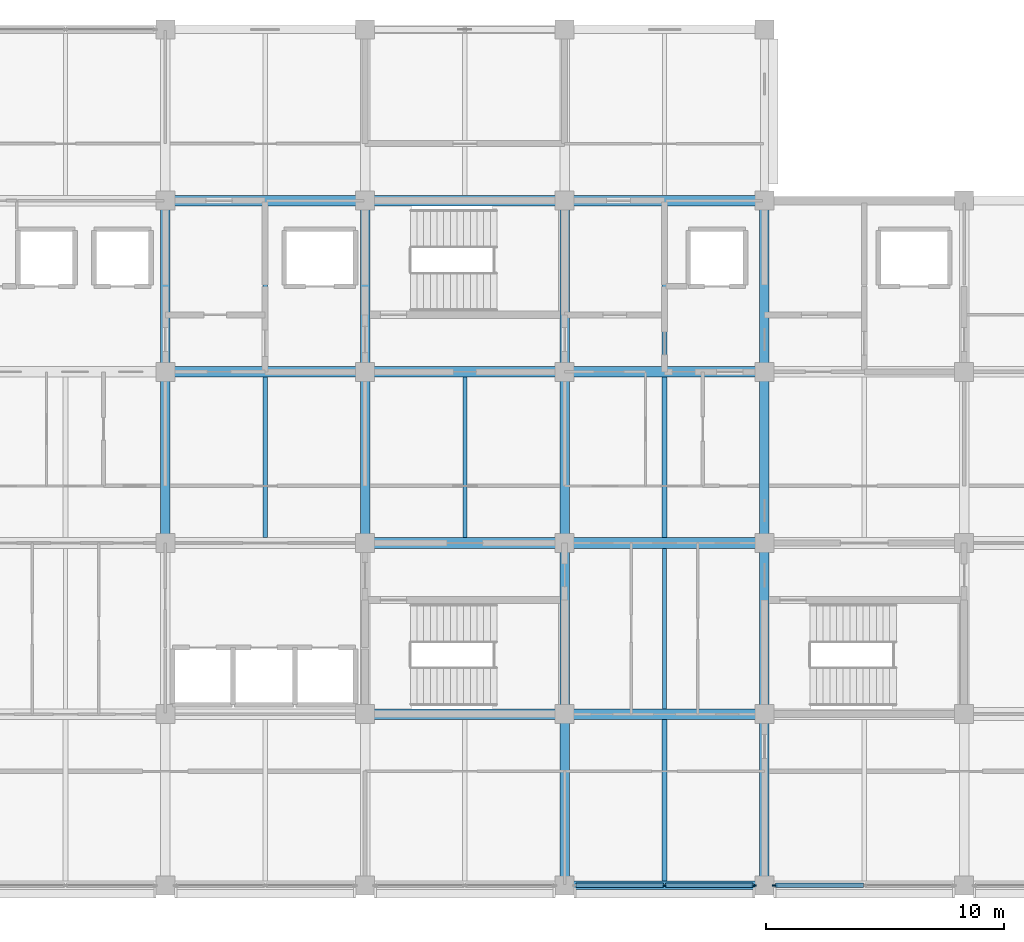
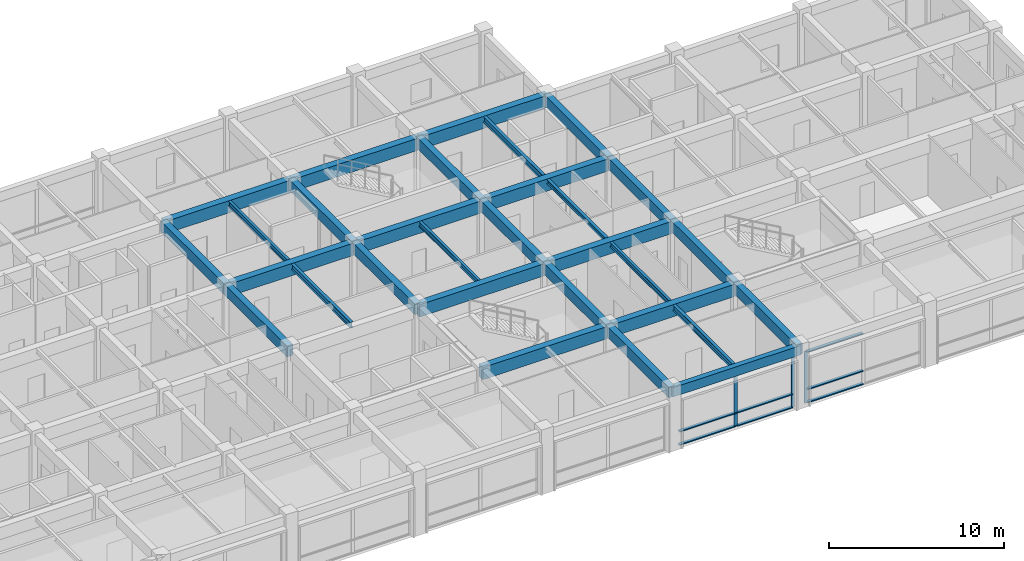
# One storey, part 9 of 30: 30 beams, 12 members, 2 elements without a shape of their own.
"""IFC4 building model written with IfcOpenShell, lengths in metres."""

from ifc_helpers import new_model, si_unit, direction, frame, origin, origin_2d, place, context, subcontext, project, spatial, rectangle, i_section, extrude, material, layer, layer_set, material_profile, profile_set, type_object, element, aggregate, save


model = new_model("IFC4")

# Units and contexts
model_context = context("Model", 3, precision=1e-05, world=origin(), true_north=direction((0.0, 1.0)))
body_context = subcontext(model_context, "Body", "Model", "MODEL_VIEW")
ifc_project = project(units=[si_unit("LENGTHUNIT", "METRE"), si_unit("AREAUNIT", "SQUARE_METRE"), si_unit("VOLUMEUNIT", "CUBIC_METRE"), si_unit("PLANEANGLEUNIT", "RADIAN"), si_unit("MASSUNIT", "GRAM", prefix="KILO")], contexts=[model_context])

# Site, building, storey
site_placement = place(None, origin())
site = spatial("IfcSite", under=ifc_project, at=site_placement, CompositionType="ELEMENT")
building_placement = place(site_placement, origin())
building = spatial("IfcBuilding", under=site, at=building_placement, Name="Chengyuan Square Courthouse", CompositionType="ELEMENT")
storey_placement = place(building_placement, frame((0.0, 0.0, 30.60009765625)))
storey = spatial("IfcBuildingStorey", under=building, at=storey_placement, Name="L07", CompositionType="ELEMENT", Elevation=30.60009765625)

# Beams
ifc_material_1 = material(Name="Concrete C40", Category="concrete")
ifc_material_profile_1 = material_profile(ifc_material_1, rectangle(XDim=0.449951171875, YDim=0.85009765625, at=origin_2d()), Name="RC-BM-450x850")
ifc_profile_set_1 = profile_set([ifc_material_profile_1], Name="Concrete C40")
beam_type_1 = type_object("IfcBeamType", Name="BM-01", PredefinedType="USERDEFINED", material=ifc_profile_set_1)
beam_1_placement = place(storey_placement, frame((100.800048828125, 86.39990234375, 3.81494140625), z_axis=(1.0, 0.0, 0.0), x_axis=(0.0, 1.0, 0.0)))
element("IfcBeam", 1, at=beam_1_placement, inside=storey, type_object=beam_type_1, Name="Girder BM-L07-3599", ObjectType="GIRDER", PredefinedType="USERDEFINED", context=body_context, shape_type="SweptSolid", body=[
    extrude(rectangle(XDim=0.449951171875, YDim=0.85009765625, at=origin_2d()), origin(), (0.0, 0.0, 1.0), 8.39990234375),
])
beam_2_placement = place(storey_placement, frame((109.199951171875, 86.39990234375, 3.81494140625), z_axis=(1.0, 0.0, 0.0), x_axis=(0.0, 1.0, 0.0)))
element("IfcBeam", 2, at=beam_2_placement, inside=storey, type_object=beam_type_1, Name="Girder BM-L07-3600", ObjectType="GIRDER", PredefinedType="USERDEFINED", context=body_context, shape_type="SweptSolid", body=[
    extrude(rectangle(XDim=0.449951171875, YDim=0.85009765625, at=origin_2d()), origin(), (0.0, 0.0, 1.0), 8.400146484375),
])
beam_3_placement = place(storey_placement, frame((100.800048828125, 93.60009765625, 3.81494140625), z_axis=(1.0, 0.0, 0.0), x_axis=(0.0, 1.0, 0.0)))
element("IfcBeam", 3, at=beam_3_placement, inside=storey, type_object=beam_type_1, Name="Girder BM-L07-3611", ObjectType="GIRDER", PredefinedType="USERDEFINED", context=body_context, shape_type="SweptSolid", body=[
    extrude(rectangle(XDim=0.449951171875, YDim=0.85009765625, at=origin_2d()), origin(), (0.0, 0.0, 1.0), 8.39990234375),
])
for number, where, z_axis, x_axis, name in (
    (4, (109.199951171875, 93.60009765625, 3.81494140625), (1.0, 0.0, 0.0), (0.0, 1.0, 0.0), "Girder BM-L07-3612"),
    (5, (92.39990234375, 100.800048828125, 3.81494140625), (1.0, 0.0, 0.0), (0.0, 1.0, 0.0), "Girder BM-L07-3623"),
):
    element("IfcBeam", number, at=place(storey_placement, frame(where, z_axis=z_axis, x_axis=x_axis)), inside=storey, type_object=beam_type_1, Name=name, ObjectType="GIRDER", PredefinedType="USERDEFINED", context=body_context, shape_type="SweptSolid", body=[
        extrude(rectangle(XDim=0.449951171875, YDim=0.85009765625, at=origin_2d()), origin(), (0.0, 0.0, 1.0), 8.400146484375),
    ])
beam_4_placement = place(storey_placement, frame((100.800048828125, 100.800048828125, 3.81494140625), z_axis=(1.0, 0.0, 0.0), x_axis=(0.0, 1.0, 0.0)))
element("IfcBeam", 6, at=beam_4_placement, inside=storey, type_object=beam_type_1, Name="Girder BM-L07-3624", ObjectType="GIRDER", PredefinedType="USERDEFINED", context=body_context, shape_type="SweptSolid", body=[
    extrude(rectangle(XDim=0.449951171875, YDim=0.85009765625, at=origin_2d()), origin(), (0.0, 0.0, 1.0), 8.39990234375),
])
for number, where, z_axis, x_axis, name in (
    (7, (109.199951171875, 100.800048828125, 3.81494140625), (1.0, 0.0, 0.0), (0.0, 1.0, 0.0), "Girder BM-L07-3625"),
    (8, (92.39990234375, 108.0, 3.81494140625), (1.0, 0.0, 0.0), (0.0, 1.0, 0.0), "Girder BM-L07-3637"),
):
    element("IfcBeam", number, at=place(storey_placement, frame(where, z_axis=z_axis, x_axis=x_axis)), inside=storey, type_object=beam_type_1, Name=name, ObjectType="GIRDER", PredefinedType="USERDEFINED", context=body_context, shape_type="SweptSolid", body=[
        extrude(rectangle(XDim=0.449951171875, YDim=0.85009765625, at=origin_2d()), origin(), (0.0, 0.0, 1.0), 8.400146484375),
    ])
beam_5_placement = place(storey_placement, frame((100.800048828125, 108.0, 3.81494140625), z_axis=(1.0, 0.0, 0.0), x_axis=(0.0, 1.0, 0.0)))
element("IfcBeam", 9, at=beam_5_placement, inside=storey, type_object=beam_type_1, Name="Girder BM-L07-3638", ObjectType="GIRDER", PredefinedType="USERDEFINED", context=body_context, shape_type="SweptSolid", body=[
    extrude(rectangle(XDim=0.449951171875, YDim=0.85009765625, at=origin_2d()), origin(), (0.0, 0.0, 1.0), 8.39990234375),
])
beam_6_placement = place(storey_placement, frame((109.199951171875, 108.0, 3.81494140625), z_axis=(1.0, 0.0, 0.0), x_axis=(0.0, 1.0, 0.0)))
element("IfcBeam", 10, at=beam_6_placement, inside=storey, type_object=beam_type_1, Name="Girder BM-L07-3639", ObjectType="GIRDER", PredefinedType="USERDEFINED", context=body_context, shape_type="SweptSolid", body=[
    extrude(rectangle(XDim=0.449951171875, YDim=0.85009765625, at=origin_2d()), origin(), (0.0, 0.0, 1.0), 8.400146484375),
])
ifc_material_profile_2 = material_profile(ifc_material_1, rectangle(XDim=0.39990234375, YDim=0.75, at=origin_2d()), Name="RC-BM-400x750")
ifc_profile_set_2 = profile_set([ifc_material_profile_2], Name="Concrete C40")
beam_type_2 = type_object("IfcBeamType", Name="BM-02", PredefinedType="USERDEFINED", material=ifc_profile_set_2)
for number, where, z_axis, x_axis, name in (
    (11, (92.39990234375, 93.60009765625, 3.864990234375), (0.0, 1.0, 0.0), (-1.0, 0.0, 0.0), "Girder BM-L07-3687"),
    (12, (92.39990234375, 100.800048828125, 3.864990234375), (0.0, 1.0, 0.0), (-1.0, 0.0, 0.0), "Girder BM-L07-3688"),
    (13, (100.800048828125, 93.60009765625, 3.864990234375), (0.0, 1.0, 0.0), (-1.0, 0.0, 0.0), "Girder BM-L07-3692"),
    (14, (100.800048828125, 100.800048828125, 3.864990234375), (0.0, 1.0, 0.0), (-1.0, 0.0, 0.0), "Girder BM-L07-3693"),
    (15, (109.199951171875, 79.199951171875, 3.864990234375), (0.0, 1.0, 0.0), (-1.0, 0.0, 0.0), "Girder BM-L07-3695"),
):
    element("IfcBeam", number, at=place(storey_placement, frame(where, z_axis=z_axis, x_axis=x_axis)), inside=storey, type_object=beam_type_2, Name=name, ObjectType="GIRDER", PredefinedType="USERDEFINED", context=body_context, shape_type="SweptSolid", body=[
        extrude(rectangle(XDim=0.39990234375, YDim=0.75, at=origin_2d()), origin(), (0.0, 0.0, 1.0), 7.199951171875),
    ])
beam_7_placement = place(storey_placement, frame((109.199951171875, 86.39990234375, 3.864990234375), z_axis=(0.0, 1.0, 0.0), x_axis=(-1.0, 0.0, 0.0)))
element("IfcBeam", 16, at=beam_7_placement, inside=storey, type_object=beam_type_2, Name="Girder BM-L07-3696", ObjectType="GIRDER", PredefinedType="USERDEFINED", context=body_context, shape_type="SweptSolid", body=[
    extrude(rectangle(XDim=0.39990234375, YDim=0.75, at=origin_2d()), origin(), (0.0, 0.0, 1.0), 7.2001953125),
])
for number, where, z_axis, x_axis, name in (
    (17, (109.199951171875, 93.60009765625, 3.864990234375), (0.0, 1.0, 0.0), (-1.0, 0.0, 0.0), "Girder BM-L07-3697"),
    (18, (109.199951171875, 100.800048828125, 3.864990234375), (0.0, 1.0, 0.0), (-1.0, 0.0, 0.0), "Girder BM-L07-3698"),
    (19, (117.60009765625, 79.199951171875, 3.864990234375), (0.0, 1.0, 0.0), (-1.0, 0.0, 0.0), "Girder BM-L07-3700"),
):
    element("IfcBeam", number, at=place(storey_placement, frame(where, z_axis=z_axis, x_axis=x_axis)), inside=storey, type_object=beam_type_2, Name=name, ObjectType="GIRDER", PredefinedType="USERDEFINED", context=body_context, shape_type="SweptSolid", body=[
        extrude(rectangle(XDim=0.39990234375, YDim=0.75, at=origin_2d()), origin(), (0.0, 0.0, 1.0), 7.199951171875),
    ])
beam_8_placement = place(storey_placement, frame((117.60009765625, 86.39990234375, 3.864990234375), z_axis=(0.0, 1.0, 0.0), x_axis=(-1.0, 0.0, 0.0)))
element("IfcBeam", 20, at=beam_8_placement, inside=storey, type_object=beam_type_2, Name="Girder BM-L07-3701", ObjectType="GIRDER", PredefinedType="USERDEFINED", context=body_context, shape_type="SweptSolid", body=[
    extrude(rectangle(XDim=0.39990234375, YDim=0.75, at=origin_2d()), origin(), (0.0, 0.0, 1.0), 7.2001953125),
])
for number, where, z_axis, x_axis, name in (
    (21, (117.60009765625, 93.60009765625, 3.864990234375), (0.0, 1.0, 0.0), (-1.0, 0.0, 0.0), "Girder BM-L07-3702"),
    (22, (117.60009765625, 100.800048828125, 3.864990234375), (0.0, 1.0, 0.0), (-1.0, 0.0, 0.0), "Girder BM-L07-3703"),
):
    element("IfcBeam", number, at=place(storey_placement, frame(where, z_axis=z_axis, x_axis=x_axis)), inside=storey, type_object=beam_type_2, Name=name, ObjectType="GIRDER", PredefinedType="USERDEFINED", context=body_context, shape_type="SweptSolid", body=[
        extrude(rectangle(XDim=0.39990234375, YDim=0.75, at=origin_2d()), origin(), (0.0, 0.0, 1.0), 7.199951171875),
    ])
ifc_material_profile_3 = material_profile(ifc_material_1, rectangle(XDim=0.35009765625, YDim=0.64990234375, at=origin_2d()), Name="RC-BM-350x650")
ifc_profile_set_3 = profile_set([ifc_material_profile_3], Name="Concrete C40")
beam_type_3 = type_object("IfcBeamType", Name="BM-03", PredefinedType="SPANDREL", material=ifc_profile_set_3)
beam_9_placement = place(storey_placement, frame((109.199951171875, 79.199951171875, 3.914794921875), z_axis=(1.0, 0.0, 0.0), x_axis=(0.0, 1.0, 0.0)))
element("IfcBeam", 23, at=beam_9_placement, inside=storey, type_object=beam_type_3, Name="Girder BM-L07-3587", PredefinedType="SPANDREL", context=body_context, shape_type="SweptSolid", body=[
    extrude(rectangle(XDim=0.35009765625, YDim=0.64990234375, at=origin_2d()), origin(), (0.0, 0.0, 1.0), 8.400146484375),
])
ifc_material_2 = material(Name="Steel Q355B", Category="steel")
ifc_material_profile_4 = material_profile(ifc_material_2, i_section(OverallWidth=0.199951171875, OverallDepth=0.39990234375, WebThickness=0.008056640625, FlangeThickness=0.012939453125, at=origin_2d()), Name="HN 400x200x8x13")
ifc_profile_set_4 = profile_set([ifc_material_profile_4], Name="Steel Q355B")
beam_type_4 = type_object("IfcBeamType", Name="BM-07", PredefinedType="BEAM", material=ifc_profile_set_4)
beam_10_placement = place(storey_placement, frame((96.60009765625, 93.824951171875, 4.039794921875), z_axis=(0.0, 1.0, 0.0), x_axis=(-1.0, 0.0, 0.0)))
element("IfcBeam", 24, at=beam_10_placement, inside=storey, type_object=beam_type_4, Name="Secondary Floor Beam SBM-L07-3746", PredefinedType="BEAM", context=body_context, shape_type="SweptSolid", body=[
    extrude(i_section(OverallWidth=0.199951171875, OverallDepth=0.39990234375, WebThickness=0.008056640625, FlangeThickness=0.012939453125, at=origin_2d()), origin(), (0.0, 0.0, 1.0), 6.75),
])
beam_11_placement = place(storey_placement, frame((113.39990234375, 79.375, 4.039794921875), z_axis=(0.0, 1.0, 0.0), x_axis=(-1.0, 0.0, 0.0)))
element("IfcBeam", 25, at=beam_11_placement, inside=storey, type_object=beam_type_4, Name="Secondary Floor Beam SBM-L07-3752", PredefinedType="BEAM", context=body_context, shape_type="SweptSolid", body=[
    extrude(i_section(OverallWidth=0.199951171875, OverallDepth=0.39990234375, WebThickness=0.008056640625, FlangeThickness=0.012939453125, at=origin_2d()), origin(), (0.0, 0.0, 1.0), 6.800048828125),
])
beam_12_placement = place(storey_placement, frame((113.39990234375, 101.02490234375, 4.039794921875), z_axis=(0.0, 1.0, 0.0), x_axis=(-1.0, 0.0, 0.0)))
element("IfcBeam", 26, at=beam_12_placement, inside=storey, type_object=beam_type_4, Name="Secondary Floor Beam SBM-L07-3755", PredefinedType="BEAM", context=body_context, shape_type="SweptSolid", body=[
    extrude(i_section(OverallWidth=0.199951171875, OverallDepth=0.39990234375, WebThickness=0.008056640625, FlangeThickness=0.012939453125, at=origin_2d()), origin(), (0.0, 0.0, 1.0), 6.75),
])
ifc_material_profile_5 = material_profile(ifc_material_2, i_section(OverallWidth=0.175048828125, OverallDepth=0.35009765625, WebThickness=0.007080078125, FlangeThickness=0.010986328125, at=origin_2d()), Name="HN 350x175x7x11")
ifc_profile_set_5 = profile_set([ifc_material_profile_5], Name="Steel Q355B")
beam_type_5 = type_object("IfcBeamType", Name="BM-08", PredefinedType="BEAM", material=ifc_profile_set_5)
for number, where, z_axis, x_axis, name in (
    (27, (96.60009765625, 101.02490234375, 4.06494140625), (0.0, 1.0, 0.0), (-1.0, 0.0, 0.0), "Secondary Floor Beam SBM-L07-3747"),
    (28, (105.0, 93.824951171875, 4.06494140625), (0.0, 1.0, 0.0), (-1.0, 0.0, 0.0), "Secondary Floor Beam SBM-L07-3750"),
    (29, (113.39990234375, 86.625, 4.06494140625), (0.0, 1.0, 0.0), (-1.0, 0.0, 0.0), "Secondary Floor Beam SBM-L07-3753"),
):
    element("IfcBeam", number, at=place(storey_placement, frame(where, z_axis=z_axis, x_axis=x_axis)), inside=storey, type_object=beam_type_5, Name=name, PredefinedType="BEAM", context=body_context, shape_type="SweptSolid", body=[
        extrude(i_section(OverallWidth=0.175048828125, OverallDepth=0.35009765625, WebThickness=0.007080078125, FlangeThickness=0.010986328125, at=origin_2d()), origin(), (0.0, 0.0, 1.0), 6.75),
    ])
ifc_material_profile_6 = material_profile(ifc_material_2, i_section(OverallWidth=0.199951171875, OverallDepth=0.300048828125, WebThickness=0.008056640625, FlangeThickness=0.011962890625, at=origin_2d()), Name="HM 300x200x8x12")
ifc_profile_set_6 = profile_set([ifc_material_profile_6], Name="Steel Q355B")
beam_type_6 = type_object("IfcBeamType", Name="BM-09", PredefinedType="BEAM", material=ifc_profile_set_6)
beam_13_placement = place(storey_placement, frame((113.39990234375, 93.824951171875, 4.08984375), z_axis=(0.0, 1.0, 0.0), x_axis=(-1.0, 0.0, 0.0)))
element("IfcBeam", 30, at=beam_13_placement, inside=storey, type_object=beam_type_6, Name="Secondary Floor Beam SBM-L07-3754", PredefinedType="BEAM", context=body_context, shape_type="SweptSolid", body=[
    extrude(i_section(OverallWidth=0.199951171875, OverallDepth=0.300048828125, WebThickness=0.008056640625, FlangeThickness=0.011962890625, at=origin_2d()), origin(), (0.0, 0.0, 1.0), 6.75),
])

# Curtain wall, members
ifc_material_3 = material(Name="Unitised Aluminium and Triple Low-E Glass", Category="aluminium")
ifc_layer = layer(ifc_material_3, 0.199951171875)
ifc_layer_set = layer_set([ifc_layer], Name="Unitised Aluminium and Triple Low-E Glass")
curtain_wall_type = type_object("IfcCurtainWallType", Name="CW-19", PredefinedType="USERDEFINED", material=ifc_layer_set)
curtain_wall_1_placement = place(storey_placement, origin())
curtain_wall_1 = element("IfcCurtainWall", 31, at=curtain_wall_1_placement, inside=storey, type_object=curtain_wall_type, Name="Unitised Curtain Wall CW-L07-216", ObjectType="UNITISED CURTAIN WALL", PredefinedType="USERDEFINED")
ifc_material_4 = material(Name="Aluminium 6063-T6 Frame", Category="aluminium")
ifc_material_profile_7 = material_profile(ifc_material_4, rectangle(XDim=0.070068359375, YDim=0.199951171875, at=origin_2d()), Name="CW-MUL-70x200")
ifc_profile_set_7 = profile_set([ifc_material_profile_7], Name="Aluminium 6063-T6 Frame")
member_type_1 = type_object("IfcMemberType", Name="CWM-03", PredefinedType="MULLION", material=ifc_profile_set_7)
member_1_placement = place(storey_placement, frame((113.39990234375, 79.199951171875, 0.0), z_axis=(0.0, 0.0, 1.0), x_axis=(0.0, 1.0, 0.0)))
member_1 = element("IfcMember", 32, at=member_1_placement, type_object=member_type_1, Name="CW-19 mullion 2", PredefinedType="MULLION", context=body_context, shape_type="SweptSolid", body=[
    extrude(rectangle(XDim=0.070068359375, YDim=0.199951171875, at=origin_2d()), origin(), (0.0, 0.0, 1.0), 3.58984375),
])
member_2_placement = place(storey_placement, frame((117.1650390625, 79.199951171875, 0.0), z_axis=(0.0, 0.0, 1.0), x_axis=(0.0, 1.0, 0.0)))
member_2 = element("IfcMember", 33, at=member_2_placement, type_object=member_type_1, Name="CW-19 mullion 3", PredefinedType="MULLION", context=body_context, shape_type="SweptSolid", body=[
    extrude(rectangle(XDim=0.070068359375, YDim=0.199951171875, at=origin_2d()), origin(), (0.0, 0.0, 1.0), 3.58984375),
])

# Curtain wall, member
curtain_wall_2_placement = place(storey_placement, origin())
curtain_wall_2 = element("IfcCurtainWall", 34, at=curtain_wall_2_placement, inside=storey, type_object=curtain_wall_type, Name="Unitised Curtain Wall CW-L07-217", ObjectType="UNITISED CURTAIN WALL", PredefinedType="USERDEFINED")
member_3_placement = place(storey_placement, frame((118.034912109375, 79.199951171875, 0.0), z_axis=(0.0, 0.0, 1.0), x_axis=(0.0, 1.0, 0.0)))
member_3 = element("IfcMember", 35, at=member_3_placement, type_object=member_type_1, Name="CW-19 mullion 1", PredefinedType="MULLION", context=body_context, shape_type="SweptSolid", body=[
    extrude(rectangle(XDim=0.070068359375, YDim=0.199951171875, at=origin_2d()), origin(), (0.0, 0.0, 1.0), 3.58984375),
])

# Member
ifc_material_profile_8 = material_profile(ifc_material_4, rectangle(XDim=0.199951171875, YDim=0.070068359375, at=origin_2d()), Name="CW-TRN-70x160")
ifc_profile_set_8 = profile_set([ifc_material_profile_8], Name="Aluminium 6063-T6 Frame")
member_type_2 = type_object("IfcMemberType", Name="CWT-03", PredefinedType="USERDEFINED", material=ifc_profile_set_8)
member_4_placement = place(storey_placement, frame((109.669921875, 79.199951171875, 0.034912109375), z_axis=(1.0, 0.0, 0.0), x_axis=(0.0, 1.0, 0.0)))
member_4 = element("IfcMember", 36, at=member_4_placement, type_object=member_type_2, Name="CW-19 transom 1.1", ObjectType="TRANSOM", PredefinedType="USERDEFINED", context=body_context, shape_type="SweptSolid", body=[
    extrude(rectangle(XDim=0.199951171875, YDim=0.070068359375, at=origin_2d()), origin(), (0.0, 0.0, 1.0), 3.695068359375),
])

member_5_placement = place(storey_placement, frame((109.669921875, 79.199951171875, 0.949951171875), z_axis=(1.0, 0.0, 0.0), x_axis=(0.0, 1.0, 0.0)))
member_5 = element("IfcMember", 37, at=member_5_placement, type_object=member_type_2, Name="CW-19 transom 1.2", ObjectType="TRANSOM", PredefinedType="USERDEFINED", context=body_context, shape_type="SweptSolid", body=[
    extrude(rectangle(XDim=0.199951171875, YDim=0.070068359375, at=origin_2d()), origin(), (0.0, 0.0, 1.0), 3.695068359375),
])

member_6_placement = place(storey_placement, frame((109.669921875, 79.199951171875, 3.554931640625), z_axis=(1.0, 0.0, 0.0), x_axis=(0.0, 1.0, 0.0)))
member_6 = element("IfcMember", 38, at=member_6_placement, type_object=member_type_2, Name="CW-19 transom 1.3", ObjectType="TRANSOM", PredefinedType="USERDEFINED", context=body_context, shape_type="SweptSolid", body=[
    extrude(rectangle(XDim=0.199951171875, YDim=0.070068359375, at=origin_2d()), origin(), (0.0, 0.0, 1.0), 3.695068359375),
])

member_7_placement = place(storey_placement, frame((113.43505859375, 79.199951171875, 0.034912109375), z_axis=(1.0, 0.0, 0.0), x_axis=(0.0, 1.0, 0.0)))
member_7 = element("IfcMember", 39, at=member_7_placement, type_object=member_type_2, Name="CW-19 transom 2.1", ObjectType="TRANSOM", PredefinedType="USERDEFINED", context=body_context, shape_type="SweptSolid", body=[
    extrude(rectangle(XDim=0.199951171875, YDim=0.070068359375, at=origin_2d()), origin(), (0.0, 0.0, 1.0), 3.69482421875),
])

member_8_placement = place(storey_placement, frame((113.43505859375, 79.199951171875, 0.949951171875), z_axis=(1.0, 0.0, 0.0), x_axis=(0.0, 1.0, 0.0)))
member_8 = element("IfcMember", 40, at=member_8_placement, type_object=member_type_2, Name="CW-19 transom 2.2", ObjectType="TRANSOM", PredefinedType="USERDEFINED", context=body_context, shape_type="SweptSolid", body=[
    extrude(rectangle(XDim=0.199951171875, YDim=0.070068359375, at=origin_2d()), origin(), (0.0, 0.0, 1.0), 3.69482421875),
])

member_9_placement = place(storey_placement, frame((113.43505859375, 79.199951171875, 3.554931640625), z_axis=(1.0, 0.0, 0.0), x_axis=(0.0, 1.0, 0.0)))
member_9 = element("IfcMember", 41, at=member_9_placement, type_object=member_type_2, Name="CW-19 transom 2.3", ObjectType="TRANSOM", PredefinedType="USERDEFINED", context=body_context, shape_type="SweptSolid", body=[
    extrude(rectangle(XDim=0.199951171875, YDim=0.070068359375, at=origin_2d()), origin(), (0.0, 0.0, 1.0), 3.69482421875),
])

aggregate(curtain_wall_1, [member_1, member_2, member_4, member_5, member_6, member_7, member_8, member_9])

member_10_placement = place(storey_placement, frame((118.070068359375, 79.199951171875, 0.034912109375), z_axis=(1.0, 0.0, 0.0), x_axis=(0.0, 1.0, 0.0)))
member_10 = element("IfcMember", 42, at=member_10_placement, type_object=member_type_2, Name="CW-19 transom 1.1", ObjectType="TRANSOM", PredefinedType="USERDEFINED", context=body_context, shape_type="SweptSolid", body=[
    extrude(rectangle(XDim=0.199951171875, YDim=0.070068359375, at=origin_2d()), origin(), (0.0, 0.0, 1.0), 3.69482421875),
])

member_11_placement = place(storey_placement, frame((118.070068359375, 79.199951171875, 0.949951171875), z_axis=(1.0, 0.0, 0.0), x_axis=(0.0, 1.0, 0.0)))
member_11 = element("IfcMember", 43, at=member_11_placement, type_object=member_type_2, Name="CW-19 transom 1.2", ObjectType="TRANSOM", PredefinedType="USERDEFINED", context=body_context, shape_type="SweptSolid", body=[
    extrude(rectangle(XDim=0.199951171875, YDim=0.070068359375, at=origin_2d()), origin(), (0.0, 0.0, 1.0), 3.69482421875),
])

member_12_placement = place(storey_placement, frame((118.070068359375, 79.199951171875, 3.554931640625), z_axis=(1.0, 0.0, 0.0), x_axis=(0.0, 1.0, 0.0)))
member_12 = element("IfcMember", 44, at=member_12_placement, type_object=member_type_2, Name="CW-19 transom 1.3", ObjectType="TRANSOM", PredefinedType="USERDEFINED", context=body_context, shape_type="SweptSolid", body=[
    extrude(rectangle(XDim=0.199951171875, YDim=0.070068359375, at=origin_2d()), origin(), (0.0, 0.0, 1.0), 3.69482421875),
])

aggregate(curtain_wall_2, [member_3, member_10, member_11, member_12])

save(model, "model.ifc")
